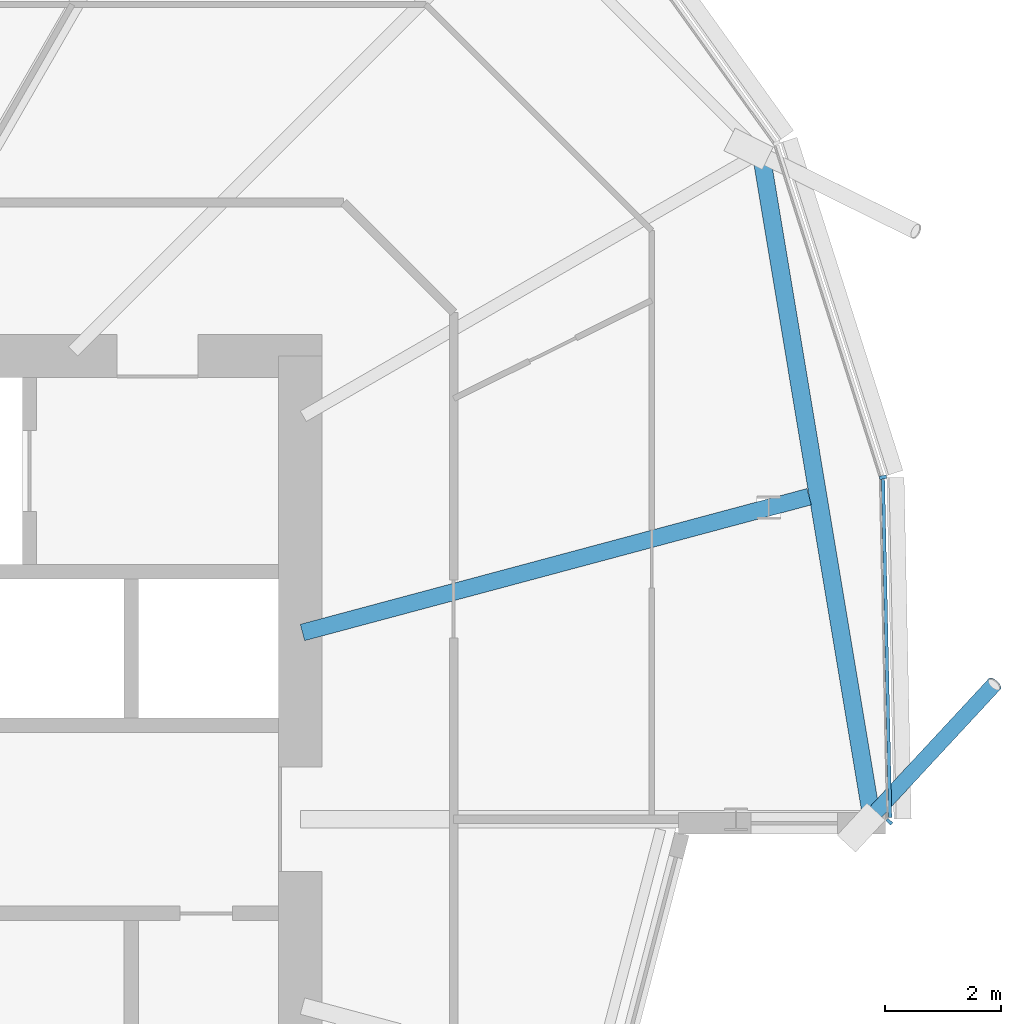
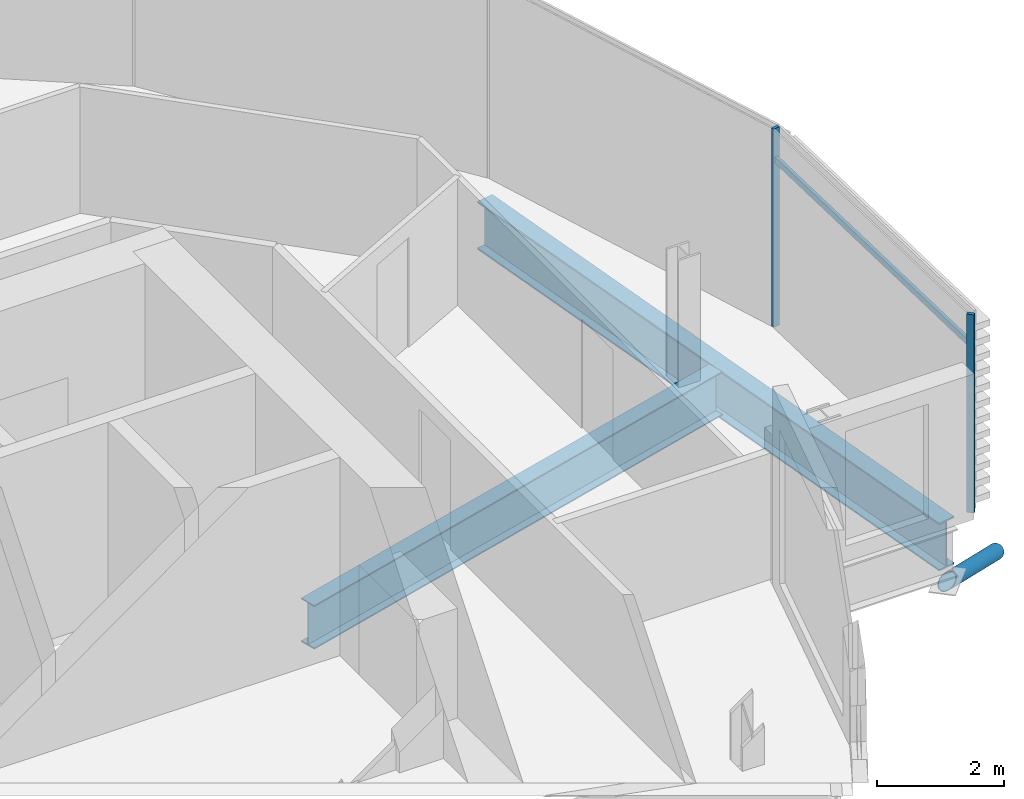
# One storey, part 15 of 39: 4 members, 2 beams, 1 element without a shape of its own.
"""IFC4 building model written with IfcOpenShell, lengths in metres."""

from ifc_helpers import new_model, si_unit, direction, frame, origin, origin_2d, place, context, subcontext, project, spatial, rectangle, hollow_circle, i_section, extrude, clip, halfspace, material, material_profile, profile_set, type_object, element, aggregate, save


model = new_model("IFC4")

# Units and contexts
model_context = context("Model", 3, precision=1e-05, world=origin(), true_north=direction((0.0, 1.0)))
body_context = subcontext(model_context, "Body", "Model", "MODEL_VIEW")
ifc_project = project(units=[si_unit("LENGTHUNIT", "METRE"), si_unit("AREAUNIT", "SQUARE_METRE"), si_unit("VOLUMEUNIT", "CUBIC_METRE"), si_unit("PLANEANGLEUNIT", "RADIAN"), si_unit("MASSUNIT", "GRAM", prefix="KILO")], contexts=[model_context])

# Site, building, storey
site_placement = place(None, origin())
site = spatial("IfcSite", under=ifc_project, at=site_placement, CompositionType="ELEMENT")
building_placement = place(site_placement, origin())
building = spatial("IfcBuilding", under=site, at=building_placement, Name="Rimbun Link Towers", CompositionType="ELEMENT")
storey_placement = place(building_placement, frame((0.0, 0.0, 100.60009765625)))
storey = spatial("IfcBuildingStorey", under=building, at=storey_placement, Name="L24", CompositionType="ELEMENT", Elevation=100.60009765625)

# Curtain wall, members
ifc_material_1 = material(Name="Aluminium 6063-T6 and low-iron glass", Category="aluminium")
curtain_wall_type = type_object("IfcCurtainWallType", Name="CW1-Z2 unitised vision wall (zone 2)", PredefinedType="NOTDEFINED", material=ifc_material_1)
curtain_wall_placement = place(storey_placement, origin())
curtain_wall = element("IfcCurtainWall", 1, at=curtain_wall_placement, inside=storey, type_object=curtain_wall_type, Name="CW1 L24 T2", PredefinedType="NOTDEFINED")
ifc_material_2 = material(Name="Aluminium 6063-T6", Category="aluminium")
ifc_material_profile_1 = material_profile(ifc_material_2, rectangle(XDim=0.1201171875, YDim=0.06005859375, at=origin_2d()), Name="MULLION 60X120")
ifc_profile_set_1 = profile_set([ifc_material_profile_1], Name="Aluminium 6063-T6")
member_type_1 = type_object("IfcMemberType", Name="CW1 mullion 60X120", PredefinedType="MULLION", material=ifc_profile_set_1)
member_1_placement = place(storey_placement, frame((53.81396484375, 5.906005859375, 0.0), z_axis=(0.0, 0.0, 1.0), x_axis=(0.986502827503, 0.16374422533, 0.0)))
member_1 = element("IfcMember", 2, at=member_1_placement, type_object=member_type_1, Name="CW1 mullion", PredefinedType="MULLION", context=body_context, shape_type="SweptSolid", body=[
    extrude(rectangle(XDim=0.1201171875, YDim=0.06005859375, at=origin_2d()), origin(), (0.0, 0.0, 1.0), 3.7998046875),
])
member_2_placement = place(storey_placement, frame((53.921875, -0.0419921875, 0.0), z_axis=(0.0, 0.0, 1.0), x_axis=(0.714513730687, -0.699621418097, 0.0)))
member_2 = element("IfcMember", 3, at=member_2_placement, type_object=member_type_1, Name="CW1 mullion", PredefinedType="MULLION", context=body_context, shape_type="SweptSolid", body=[
    extrude(rectangle(XDim=0.1201171875, YDim=0.06005859375, at=origin_2d()), origin(), (0.0, 0.0, 1.0), 3.7998046875),
])
ifc_material_3 = material(Name="Aluminium 6063-T6", Category="aluminium")
ifc_material_profile_2 = material_profile(ifc_material_3, rectangle(XDim=0.06005859375, YDim=0.1201171875, at=origin_2d()), Name="TRANSOM 60X120")
ifc_profile_set_2 = profile_set([ifc_material_profile_2], Name="Aluminium 6063-T6")
member_type_2 = type_object("IfcMemberType", Name="CW1 transom 60X120", PredefinedType="USERDEFINED", material=ifc_profile_set_2)
member_3_placement = place(storey_placement, frame((53.8134765625, 5.867431640625, 3.199951171875), z_axis=(0.021036966549, -0.999778698532, 0.0), x_axis=(0.999778698532, 0.021036966549, 0.0)))
member_3 = element("IfcMember", 4, at=member_3_placement, type_object=member_type_2, Name="CW1 transom", ObjectType="TRANSOM", PredefinedType="USERDEFINED", context=body_context, shape_type="SweptSolid", body=[
    extrude(rectangle(XDim=0.06005859375, YDim=0.1201171875, at=origin_2d()), origin(), (0.0, 0.0, 1.0), 5.83740234375),
])
aggregate(curtain_wall, [member_1, member_2, member_3])

# Member
ifc_material_4 = material(Name="Steel S355J2H", Category="steel")
ifc_material_profile_3 = material_profile(ifc_material_4, hollow_circle(Radius=0.136474609375, WallThickness=0.012451171875, at=origin_2d()), Name="CHS 273x12.5")
ifc_profile_set_3 = profile_set([ifc_material_profile_3], Name="Steel S355J2H")
member_type_3 = type_object("IfcMemberType", Name="Floor edge link CHS 273x12.5", PredefinedType="BRACE", material=ifc_profile_set_3)
member_4_placement = place(storey_placement, frame((53.572021484375, 0.0, -1.2001953125), z_axis=(0.60449203013, 0.651216380344, -0.458809994966), x_axis=(-0.732910708717, 0.680324843768, 0.0)))
element("IfcMember", 5, at=member_4_placement, inside=storey, type_object=member_type_3, Name="Floor edge link T2 L24 21", PredefinedType="BRACE", context=body_context, shape_type="Clipping", body=[
    clip(extrude(hollow_circle(Radius=0.136474609375, WallThickness=0.012451171875, at=origin_2d()), frame((0.0, 0.0, -0.55029296875)), (0.0, 0.0, 1.0), 4.14013671875), halfspace(frame((0.0, 0.0, -0.260986328125), z_axis=(0.0, 0.888534404803, -0.458809994966)), False)),
])

# Beams
ifc_material_5 = material(Name="Steel S355J2", Category="steel")
ifc_material_profile_4 = material_profile(ifc_material_5, i_section(OverallWidth=0.29248046875, OverallDepth=0.8408203125, WebThickness=0.0126953125, FlangeThickness=0.021728515625, at=origin_2d()), Name="UB 838x292x194")
ifc_profile_set_4 = profile_set([ifc_material_profile_4], Name="Steel S355J2")
beam_type_1 = type_object("IfcBeamType", Name="UB 838x292x194", PredefinedType="BEAM", material=ifc_profile_set_4)
beam_1_placement = place(storey_placement, frame((43.788818359375, 3.225830078125, -0.58056640625), z_axis=(0.965927841238, 0.258811525095, 0.0), x_axis=(-0.258811525095, 0.965927841238, 0.0)))
element("IfcBeam", 6, at=beam_1_placement, inside=storey, type_object=beam_type_1, Name="Radial beam T2 L24 22", PredefinedType="BEAM", context=body_context, shape_type="SweptSolid", body=[
    extrude(i_section(OverallWidth=0.29248046875, OverallDepth=0.8408203125, WebThickness=0.0126953125, FlangeThickness=0.021728515625, at=origin_2d()), origin(), (0.0, 0.0, 1.0), 9.05859375),
])
ifc_material_6 = material(Name="Steel S355J2", Category="steel")
ifc_material_profile_5 = material_profile(ifc_material_6, i_section(OverallWidth=0.305419921875, OverallDepth=0.91845703125, WebThickness=0.017333984375, FlangeThickness=0.02783203125, at=origin_2d()), Name="UB 914x305x253")
ifc_profile_set_5 = profile_set([ifc_material_profile_5], Name="Steel S355J2")
beam_type_2 = type_object("IfcBeamType", Name="UB 914x305x253", PredefinedType="BEAM", material=ifc_profile_set_5)
beam_2_placement = place(storey_placement, frame((53.596435546875, 0.15380859375, -0.619384765625), z_axis=(-0.16423937898, 0.986420511948, 0.0), x_axis=(-0.986420511948, -0.16423937898, 0.0)))
element("IfcBeam", 7, at=beam_2_placement, inside=storey, type_object=beam_type_2, Name="Edge beam T2 L24 21-23", PredefinedType="BEAM", context=body_context, shape_type="SweptSolid", body=[
    extrude(i_section(OverallWidth=0.305419921875, OverallDepth=0.91845703125, WebThickness=0.017333984375, FlangeThickness=0.02783203125, at=origin_2d()), origin(), (0.0, 0.0, 1.0), 11.410400390625),
])

save(model, "model.ifc")
